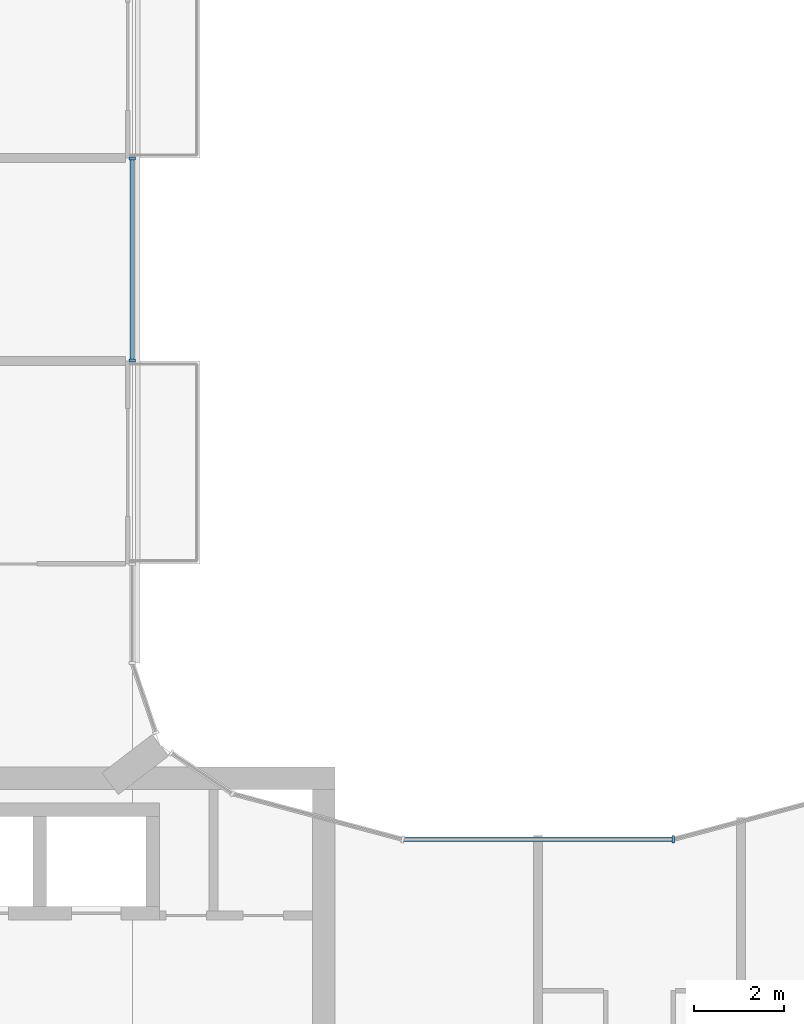
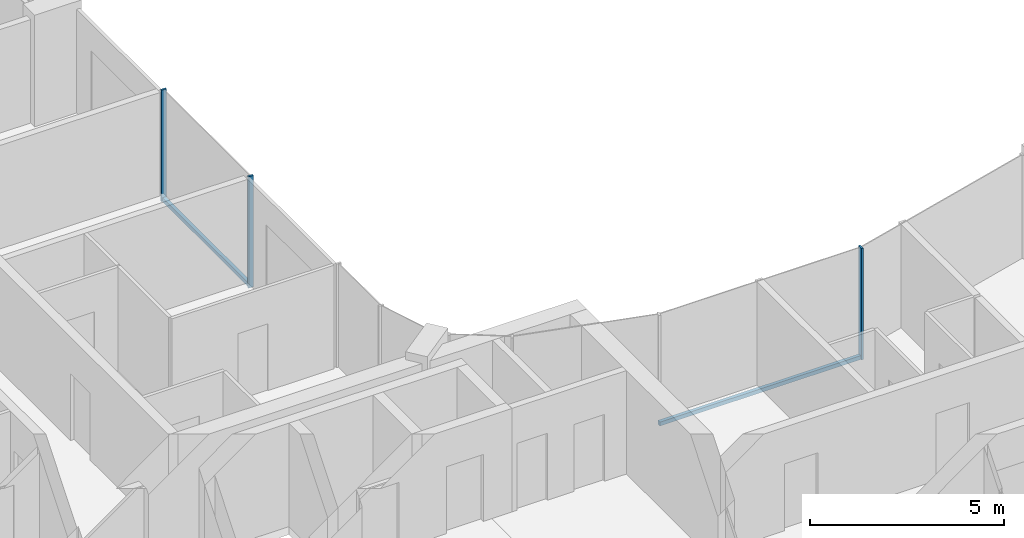
# One storey, part 5 of 17: 5 members, 2 elements without a shape of their own.
"""IFC4 building model written with IfcOpenShell, lengths in metres."""

from ifc_helpers import new_model, si_unit, direction, frame, origin, origin_2d, place, context, subcontext, project, spatial, rectangle, extrude, material, layer, layer_set, material_profile, profile_set, type_object, element, aggregate, save


model = new_model("IFC4")

# Units and contexts
model_context = context("Model", 3, precision=1e-05, world=origin(), true_north=direction((0.0, 1.0)))
body_context = subcontext(model_context, "Body", "Model", "MODEL_VIEW")
ifc_project = project(units=[si_unit("LENGTHUNIT", "METRE"), si_unit("AREAUNIT", "SQUARE_METRE"), si_unit("VOLUMEUNIT", "CUBIC_METRE"), si_unit("PLANEANGLEUNIT", "RADIAN"), si_unit("MASSUNIT", "GRAM", prefix="KILO")], contexts=[model_context])

# Site, building, storey
site_placement = place(None, origin())
site = spatial("IfcSite", under=ifc_project, at=site_placement, CompositionType="ELEMENT")
building_placement = place(site_placement, origin())
building = spatial("IfcBuilding", under=site, at=building_placement, Name="Plateau Cross Towers", CompositionType="ELEMENT")
storey_placement = place(building_placement, frame((0.0, 0.0, 222.39990234375)))
storey = spatial("IfcBuildingStorey", under=building, at=storey_placement, Name="L58", CompositionType="ELEMENT", Elevation=222.39990234375)

# Curtain wall, members
ifc_material_1 = material(Name="Dark low-iron glass", Category="glass")
ifc_layer_1 = layer(ifc_material_1, 0.239990234375)
ifc_layer_set_1 = layer_set([ifc_layer_1], Name="Dark low-iron glass")
curtain_wall_type_1 = type_object("IfcCurtainWallType", Name="Curtain wall flush unitised CW-B", PredefinedType="NOTDEFINED", material=ifc_layer_set_1)
curtain_wall_1_placement = place(storey_placement, origin())
curtain_wall_1 = element("IfcCurtainWall", 1, at=curtain_wall_1_placement, inside=storey, type_object=curtain_wall_type_1, Name="ENV/A/L58/A180_270", PredefinedType="NOTDEFINED")
ifc_material_2 = material(Name="Black anodised aluminium", Category="aluminium")
ifc_material_profile_1 = material_profile(ifc_material_2, rectangle(XDim=0.06005859375, YDim=0.139892578125, at=origin_2d()), Name="MULLION 60x140")
ifc_profile_set_1 = profile_set([ifc_material_profile_1], Name="Black anodised aluminium")
member_type_1 = type_object("IfcMemberType", Name="Mullion 60x140 flush unitised", PredefinedType="MULLION", material=ifc_profile_set_1)
member_1_placement = place(storey_placement, frame((18.0, 27.010009765625, -0.25), z_axis=(0.0, 0.0, 1.0), x_axis=(0.0, 1.0, 0.0)))
member_1 = element("IfcMember", 2, at=member_1_placement, type_object=member_type_1, Name="CW-B mullion 1", PredefinedType="MULLION", context=body_context, shape_type="SweptSolid", body=[
    extrude(rectangle(XDim=0.06005859375, YDim=0.139892578125, at=origin_2d()), origin(), (0.0, 0.0, 1.0), 3.5),
])
member_2_placement = place(storey_placement, frame((18.0, 31.489990234375, -0.25), z_axis=(0.0, 0.0, 1.0), x_axis=(0.0, 1.0, 0.0)))
member_2 = element("IfcMember", 3, at=member_2_placement, type_object=member_type_1, Name="CW-B mullion 2", PredefinedType="MULLION", context=body_context, shape_type="SweptSolid", body=[
    extrude(rectangle(XDim=0.06005859375, YDim=0.139892578125, at=origin_2d()), origin(), (0.0, 0.0, 1.0), 3.5),
])

# Curtain wall, member
ifc_layer_2 = layer(ifc_material_1, 0.260009765625)
ifc_layer_set_2 = layer_set([ifc_layer_2], Name="Dark low-iron glass")
curtain_wall_type_2 = type_object("IfcCurtainWallType", Name="Curtain wall fluted unitised CW-A", PredefinedType="NOTDEFINED", material=ifc_layer_set_2)
curtain_wall_2_placement = place(storey_placement, origin())
curtain_wall_2 = element("IfcCurtainWall", 4, at=curtain_wall_2_placement, inside=storey, type_object=curtain_wall_type_2, Name="ENV/A/L58/A300_164", PredefinedType="NOTDEFINED")
ifc_material_profile_2 = material_profile(ifc_material_2, rectangle(XDim=0.06005859375, YDim=0.159912109375, at=origin_2d()), Name="MULLION 60x160")
ifc_profile_set_2 = profile_set([ifc_material_profile_2], Name="Black anodised aluminium")
member_type_2 = type_object("IfcMemberType", Name="Mullion 60x160 fluted unitised", PredefinedType="MULLION", material=ifc_profile_set_2)
member_3_placement = place(storey_placement, frame((30.0, 16.39306640625, -0.25), z_axis=(0.0, 0.0, 1.0), x_axis=(-1.0, 0.0, 0.0)))
member_3 = element("IfcMember", 5, at=member_3_placement, type_object=member_type_2, Name="CW-A mullion 1", PredefinedType="MULLION", context=body_context, shape_type="SweptSolid", body=[
    extrude(rectangle(XDim=0.06005859375, YDim=0.159912109375, at=origin_2d()), origin(), (0.0, 0.0, 1.0), 3.5),
])

# Member
ifc_material_profile_3 = material_profile(ifc_material_2, rectangle(XDim=0.10009765625, YDim=0.1201171875, at=origin_2d()), Name="TRANSOM 100x120")
ifc_profile_set_3 = profile_set([ifc_material_profile_3], Name="Black anodised aluminium")
member_type_3 = type_object("IfcMemberType", Name="Transom 100x120 flush unitised", PredefinedType="USERDEFINED", material=ifc_profile_set_3)
member_4_placement = place(storey_placement, frame((18.0, 27.010009765625, -0.18994140625), z_axis=(0.0, 1.0, 0.0), x_axis=(-1.0, 0.0, 0.0)))
member_4 = element("IfcMember", 6, at=member_4_placement, type_object=member_type_3, Name="CW-B transom", ObjectType="TRANSOM", PredefinedType="USERDEFINED", context=body_context, shape_type="SweptSolid", body=[
    extrude(rectangle(XDim=0.10009765625, YDim=0.1201171875, at=origin_2d()), origin(), (0.0, 0.0, 1.0), 4.47998046875),
])

aggregate(curtain_wall_1, [member_1, member_2, member_4])

ifc_material_profile_4 = material_profile(ifc_material_2, rectangle(XDim=0.10009765625, YDim=0.1201171875, at=origin_2d()), Name="TRANSOM 100x120")
ifc_profile_set_4 = profile_set([ifc_material_profile_4], Name="Black anodised aluminium")
member_type_4 = type_object("IfcMemberType", Name="Transom 100x120 fluted unitised", PredefinedType="USERDEFINED", material=ifc_profile_set_4)
member_5_placement = place(storey_placement, frame((30.0, 16.39306640625, -0.18994140625), z_axis=(-1.0, 0.0, 0.0), x_axis=(0.0, -1.0, 0.0)))
member_5 = element("IfcMember", 7, at=member_5_placement, type_object=member_type_4, Name="CW-A transom", ObjectType="TRANSOM", PredefinedType="USERDEFINED", context=body_context, shape_type="SweptSolid", body=[
    extrude(rectangle(XDim=0.10009765625, YDim=0.1201171875, at=origin_2d()), origin(), (0.0, 0.0, 1.0), 6.0),
])

aggregate(curtain_wall_2, [member_3, member_5])

save(model, "model.ifc")
